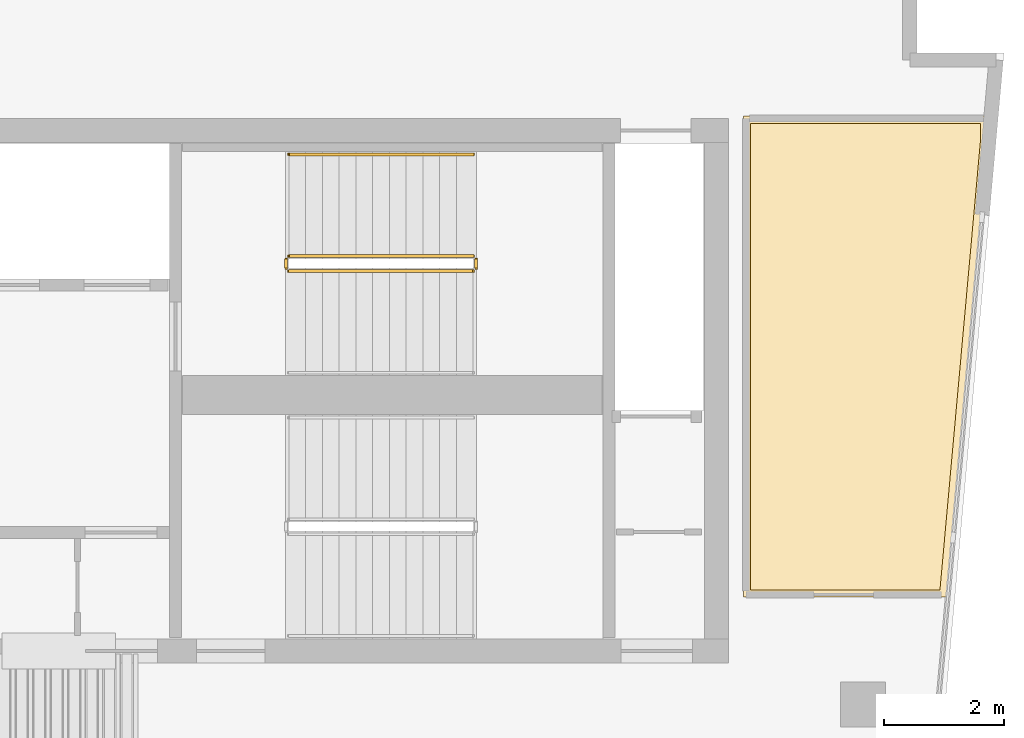
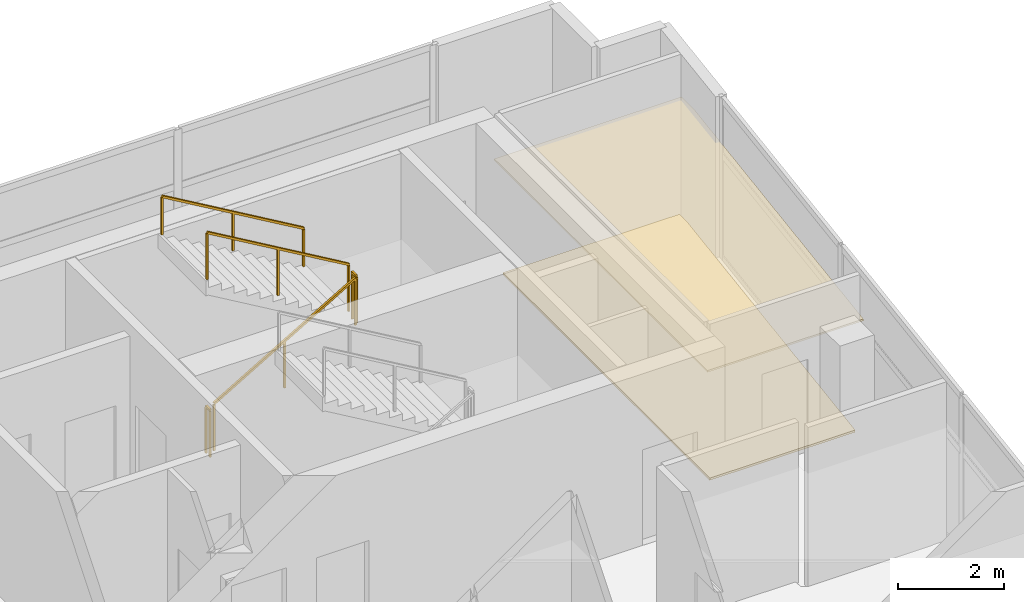
# One storey, part 7 of 7: 5 railings, 2 coverings.
"""IFC4 building model written with IfcOpenShell, lengths in metres."""

from ifc_helpers import new_model, si_unit, direction, frame, origin, origin_2d, place, context, subcontext, project, spatial, polyline, rectangle, outline, extrude, material, layer, layer_set, type_object, element, save


model = new_model("IFC4")

# Units and contexts
model_context = context("Model", 3, precision=1e-05, world=origin(), true_north=direction((0.0, 1.0)))
body_context = subcontext(model_context, "Body", "Model", "MODEL_VIEW")
ifc_project = project(units=[si_unit("LENGTHUNIT", "METRE"), si_unit("AREAUNIT", "SQUARE_METRE"), si_unit("VOLUMEUNIT", "CUBIC_METRE"), si_unit("PLANEANGLEUNIT", "RADIAN"), si_unit("MASSUNIT", "GRAM", prefix="KILO")], contexts=[model_context])

# Site, building, storey
site_placement = place(None, origin())
site = spatial("IfcSite", under=ifc_project, at=site_placement, CompositionType="ELEMENT")
building_placement = place(site_placement, origin())
building = spatial("IfcBuilding", under=site, at=building_placement, Name="Caeloran Harvest Quay", CompositionType="ELEMENT")
storey_placement = place(building_placement, frame((0.0, 0.0, 304.10009765625)))
storey = spatial("IfcBuildingStorey", under=building, at=storey_placement, Name="L73", CompositionType="ELEMENT", Elevation=304.10009765625)

# Coverings
ifc_material_1 = material(Name="Perforated Mineral-Fibre Acoustic Ceiling Tile", Category="ceiling")
ifc_layer_1 = layer(ifc_material_1, 0.0400390625, Name="Perforated Mineral-Fibre Acoustic Ceiling Tile")
ifc_layer_set_1 = layer_set([ifc_layer_1], Name="Perforated Mineral-Fibre Acoustic Ceiling Tile")
covering_type_1 = type_object("IfcCoveringType", Name="COV-CEILING-ACOUSTIC", PredefinedType="CEILING", material=ifc_layer_set_1)
covering_1_placement = place(storey_placement, frame((0.0, 0.0, 2.599853515625)))
element("IfcCovering", 1, at=covering_1_placement, inside=storey, type_object=covering_type_1, Name="L73 Bioinformatics and Crop Phenotyping Laboratory Acoustic Ceiling", PredefinedType="CEILING", context=body_context, shape_type="SweptSolid", body=[
    extrude(outline(polyline([(27.57861328125, 40.3876953125), (26.89453125, 32.800048828125), (23.5, 32.800048828125), (23.5, 40.840087890625), (27.57861328125, 40.840087890625), (27.57861328125, 40.3876953125)])), origin(), (0.0, 0.0, 1.0), 0.0400390625),
])
ifc_material_2 = material(Name="Calcium-Sulphate Raised Access Floor and Terrazzo Finish", Category="flooring")
ifc_layer_2 = layer(ifc_material_2, 0.050048828125, Name="Calcium-Sulphate Raised Access Floor and Terrazzo Finish")
ifc_layer_set_2 = layer_set([ifc_layer_2], Name="Calcium-Sulphate Raised Access Floor and Terrazzo Finish")
covering_type_2 = type_object("IfcCoveringType", Name="COV-FLOOR-RAISED", PredefinedType="FLOORING", material=ifc_layer_set_2)
covering_2_placement = place(storey_placement, origin())
element("IfcCovering", 2, at=covering_2_placement, inside=storey, type_object=covering_type_2, Name="L73 Bioinformatics and Crop Phenotyping Laboratory Raised Finish Flooring", PredefinedType="FLOORING", context=body_context, shape_type="SweptSolid", body=[
    extrude(outline(polyline([(27.458740234375, 40.39306640625), (26.784912109375, 32.919921875), (23.6201171875, 32.919921875), (23.6201171875, 40.719970703125), (27.458740234375, 40.719970703125), (27.458740234375, 40.39306640625)])), origin(), (0.0, 0.0, 1.0), 0.0498046875),
])

# Railings
ifc_material_3 = material(Name="Painted Steel Baluster and Top-Rail Stair Guard", Category="steel")
ifc_layer_3 = layer(ifc_material_3, 0.050048828125, Name="Painted Steel Baluster and Top-Rail Stair Guard")
ifc_layer_set_3 = layer_set([ifc_layer_3], Name="Painted Steel Baluster and Top-Rail Stair Guard")
railing_type_1 = type_object("IfcRailingType", Name="STAIR-GUARD-1100", PredefinedType="GUARDRAIL", material=ifc_layer_set_3)
railing_1_placement = place(storey_placement, frame((15.89990234375, 38.25, 0.16455078125)))
element("IfcRailing", 3, at=railing_1_placement, inside=storey, type_object=railing_type_1, Name="L73 ST-C1 stair guard 1", PredefinedType="GUARDRAIL", context=body_context, shape_type="SweptSolid", body=[
    extrude(rectangle(XDim=0.048095703125, YDim=0.048095703125, at=origin_2d()), frame((0.0, 0.0, 1.076171875), z_axis=(0.862118610829, 0.0, 0.506706523406), x_axis=(0.0, 1.0, 0.0)), (0.0, 0.0, 1.0), 3.57275390625),
    extrude(rectangle(XDim=0.0419921875, YDim=0.0419921875, at=origin_2d()), origin(), (0.0, 0.0, 1.0), 1.052001953125),
    extrude(rectangle(XDim=0.0419921875, YDim=0.0419921875, at=origin_2d()), frame((1.5400390625, 0.0, 0.9052734375)), (0.0, 0.0, 1.0), 1.052001953125),
    extrude(rectangle(XDim=0.0419921875, YDim=0.0419921875, at=origin_2d()), frame((3.080078125, 0.0, 1.810302734375)), (0.0, 0.0, 1.0), 1.052001953125),
])
railing_2_placement = place(storey_placement, frame((19.030029296875, 38.300048828125, 1.974853515625)))
element("IfcRailing", 4, at=railing_2_placement, inside=storey, type_object=railing_type_1, Name="L73 ST-C1 stair guard 2", PredefinedType="GUARDRAIL", context=body_context, shape_type="SweptSolid", body=[
    extrude(rectangle(XDim=0.048095703125, YDim=0.048095703125, at=origin_2d()), frame((0.0, 0.0, 1.076171875), z_axis=(0.0, 1.0, 0.0), x_axis=(-1.0, 0.0, 0.0)), (0.0, 0.0, 1.0), 0.14990234375),
    extrude(rectangle(XDim=0.0419921875, YDim=0.0419921875, at=origin_2d()), origin(), (0.0, 0.0, 1.0), 1.052001953125),
    extrude(rectangle(XDim=0.0419921875, YDim=0.0419921875, at=origin_2d()), frame((0.0, 0.14990234375, 0.0)), (0.0, 0.0, 1.0), 1.052001953125),
])
railing_3_placement = place(storey_placement, frame((18.97998046875, 38.5, 2.139404296875)))
element("IfcRailing", 5, at=railing_3_placement, inside=storey, type_object=railing_type_1, Name="L73 ST-C1 stair guard 3", PredefinedType="GUARDRAIL", context=body_context, shape_type="SweptSolid", body=[
    extrude(rectangle(XDim=0.048095703125, YDim=0.048095703125, at=origin_2d()), frame((0.0, 0.0, 1.076171875), z_axis=(-0.862088758681, 0.0, 0.506757310905), x_axis=(0.0, -1.0, 0.0)), (0.0, 0.0, 1.0), 3.57275390625),
    extrude(rectangle(XDim=0.0419921875, YDim=0.0419921875, at=origin_2d()), origin(), (0.0, 0.0, 1.0), 1.052001953125),
    extrude(rectangle(XDim=0.0419921875, YDim=0.0419921875, at=origin_2d()), frame((-1.5400390625, 0.0, 0.9052734375)), (0.0, 0.0, 1.0), 1.052001953125),
    extrude(rectangle(XDim=0.0419921875, YDim=0.0419921875, at=origin_2d()), frame((-3.080078125, 0.0, 1.810546875)), (0.0, 0.0, 1.0), 1.052001953125),
])
railing_4_placement = place(storey_placement, frame((15.85009765625, 38.300048828125, 0.0)))
element("IfcRailing", 6, at=railing_4_placement, inside=storey, type_object=railing_type_1, Name="L73 ST-C1 stair guard 4", PredefinedType="GUARDRAIL", context=body_context, shape_type="SweptSolid", body=[
    extrude(rectangle(XDim=0.048095703125, YDim=0.048095703125, at=origin_2d()), frame((0.0, 0.0, 1.076171875), z_axis=(0.0, 1.0, 0.0), x_axis=(-1.0, 0.0, 0.0)), (0.0, 0.0, 1.0), 0.14990234375),
    extrude(rectangle(XDim=0.0419921875, YDim=0.0419921875, at=origin_2d()), origin(), (0.0, 0.0, 1.0), 1.052001953125),
    extrude(rectangle(XDim=0.0419921875, YDim=0.0419921875, at=origin_2d()), frame((0.0, 0.14990234375, 0.0)), (0.0, 0.0, 1.0), 1.052001953125),
])
ifc_material_4 = material(Name="Brushed Stainless Steel Grade 304", Category="steel")
ifc_layer_4 = layer(ifc_material_4, 0.050048828125, Name="Brushed Stainless Steel Grade 304")
ifc_layer_set_4 = layer_set([ifc_layer_4], Name="Brushed Stainless Steel Grade 304")
railing_type_2 = type_object("IfcRailingType", Name="STAIR-HANDRAIL-900", PredefinedType="HANDRAIL", material=ifc_layer_set_4)
railing_5_placement = place(storey_placement, frame((18.97998046875, 40.199951171875, 2.139404296875)))
element("IfcRailing", 7, at=railing_5_placement, inside=storey, type_object=railing_type_2, Name="L73 ST-C1 stair handrail 2", PredefinedType="HANDRAIL", context=body_context, shape_type="SweptSolid", body=[
    extrude(rectangle(XDim=0.048095703125, YDim=0.048095703125, at=origin_2d()), frame((0.0, 0.0, 0.8759765625), z_axis=(-0.862088758681, 0.0, 0.506757310905), x_axis=(0.0, -1.0, 0.0)), (0.0, 0.0, 1.0), 3.57275390625),
    extrude(rectangle(XDim=0.0419921875, YDim=0.0419921875, at=origin_2d()), origin(), (0.0, 0.0, 1.0), 0.851806640625),
    extrude(rectangle(XDim=0.0419921875, YDim=0.0419921875, at=origin_2d()), frame((-1.5400390625, 0.0, 0.9052734375)), (0.0, 0.0, 1.0), 0.851806640625),
    extrude(rectangle(XDim=0.0419921875, YDim=0.0419921875, at=origin_2d()), frame((-3.080078125, 0.0, 1.810546875)), (0.0, 0.0, 1.0), 0.851806640625),
])

save(model, "model.ifc")
